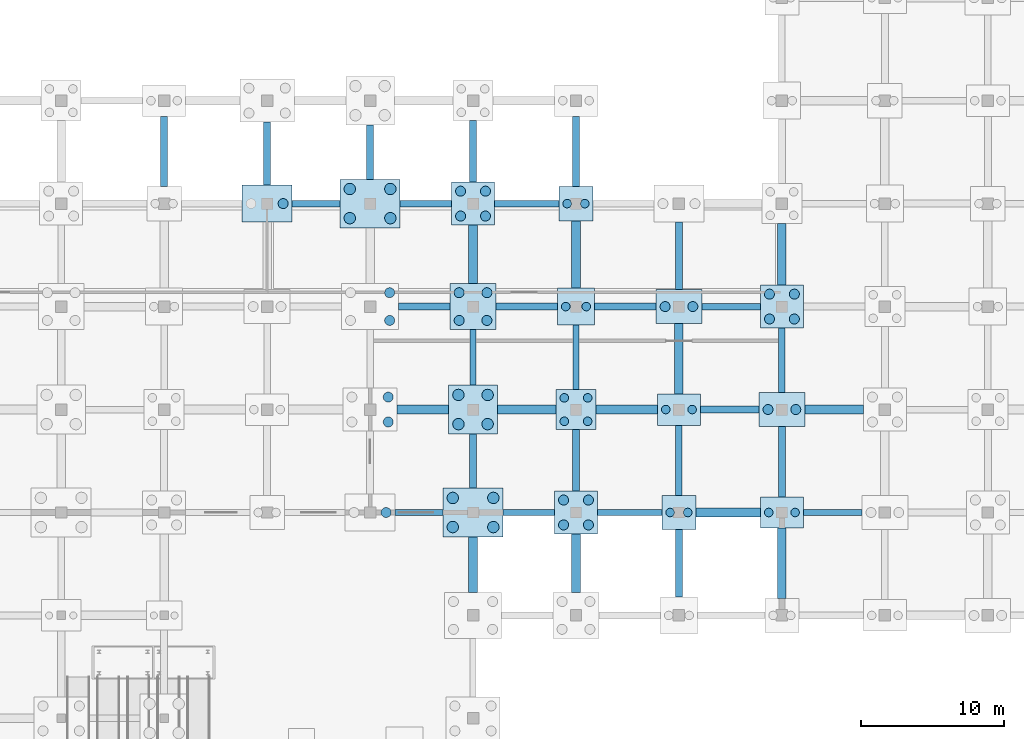
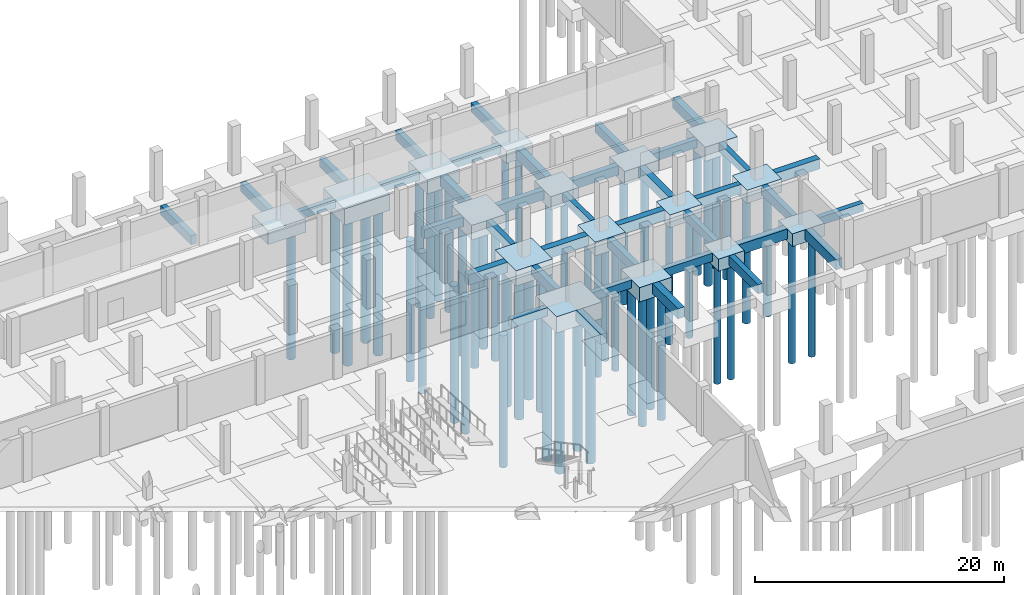
# One storey, part 6 of 38: 54 footings, 52 piles.
"""IFC4 building model written with IfcOpenShell, lengths in metres."""

from ifc_helpers import new_model, si_unit, direction, frame, origin, origin_2d, place, context, subcontext, project, spatial, rectangle, circle, extrude, material, material_profile, profile_set, type_object, element, save


model = new_model("IFC4")

# Units and contexts
model_context = context("Model", 3, precision=1e-05, world=origin(), true_north=direction((0.0, 1.0)))
body_context = subcontext(model_context, "Body", "Model", "MODEL_VIEW")
ifc_project = project(units=[si_unit("LENGTHUNIT", "METRE"), si_unit("AREAUNIT", "SQUARE_METRE"), si_unit("VOLUMEUNIT", "CUBIC_METRE"), si_unit("PLANEANGLEUNIT", "RADIAN"), si_unit("MASSUNIT", "GRAM", prefix="KILO")], contexts=[model_context])

# Site, building, storey
site_placement = place(None, origin())
site = spatial("IfcSite", under=ifc_project, at=site_placement, CompositionType="ELEMENT")
building_placement = place(site_placement, origin())
building = spatial("IfcBuilding", under=site, at=building_placement, Name="Valkovuoma Quantum and Materials Research Institute", CompositionType="ELEMENT")
storey_placement = place(building_placement, frame((0.0, 0.0, -4.800048828125)))
storey = spatial("IfcBuildingStorey", under=building, at=storey_placement, Name="B1", CompositionType="ELEMENT", Elevation=-4.800048828125)

# Footings
ifc_material_1 = material(Name="Concrete C35/45", Category="concrete")
footing_type_1 = type_object("IfcFootingType", Name="Cap-PC-03", PredefinedType="PILE_CAP", material=ifc_material_1)
for number, where, z_axis, x_axis, name in (
    (1, (108.0, 57.60009765625, -1.19970703125), (0.0, 0.0, 1.0), (1.0, 0.0, 0.0), "B1 pile cap 16J"),
    (2, (115.199951171875, 36.0, -1.19970703125), (0.0, 0.0, 1.0), (1.0, 0.0, 0.0), "B1 pile cap 17F"),
):
    element("IfcFooting", number, at=place(storey_placement, frame(where, z_axis=z_axis, x_axis=x_axis)), inside=storey, type_object=footing_type_1, Name=name, PredefinedType="PILE_CAP", context=body_context, shape_type="SweptSolid", body=[
        extrude(rectangle(XDim=2.39990234375, YDim=2.39990234375, at=origin_2d()), origin(), (0.0, 0.0, 1.0), 1.199951171875),
    ])
ifc_material_2 = material(Name="Concrete C35/45", Category="concrete")
footing_type_2 = type_object("IfcFootingType", Name="Cap-PC-04", PredefinedType="PILE_CAP", material=ifc_material_2)
footing_1_placement = place(storey_placement, frame((108.0, 50.39990234375, -1.2998046875), z_axis=(0.0, 0.0, 1.0), x_axis=(1.0, 0.0, 0.0)))
element("IfcFooting", 3, at=footing_1_placement, inside=storey, type_object=footing_type_2, Name="B1 pile cap 16H", PredefinedType="PILE_CAP", context=body_context, shape_type="SweptSolid", body=[
    extrude(rectangle(XDim=2.60009765625, YDim=2.60009765625, at=origin_2d()), origin(), (0.0, 0.0, 1.0), 1.300048828125),
])
ifc_material_3 = material(Name="Concrete C35/45", Category="concrete")
footing_type_3 = type_object("IfcFootingType", Name="Cap-PC-05", PredefinedType="PILE_CAP", material=ifc_material_3)
footing_2_placement = place(storey_placement, frame((108.0, 43.199951171875, -1.35009765625), z_axis=(0.0, 0.0, 1.0), x_axis=(1.0, 0.0, 0.0)))
element("IfcFooting", 4, at=footing_2_placement, inside=storey, type_object=footing_type_3, Name="B1 pile cap 16G", PredefinedType="PILE_CAP", context=body_context, shape_type="SweptSolid", body=[
    extrude(rectangle(XDim=2.800048828125, YDim=2.800048828125, at=origin_2d()), origin(), (0.0, 0.0, 1.0), 1.35009765625),
])
ifc_material_4 = material(Name="Concrete C35/45", Category="concrete")
footing_type_4 = type_object("IfcFootingType", Name="Cap-PC-06", PredefinedType="PILE_CAP", material=ifc_material_4)
for number, where, z_axis, x_axis, name in (
    (5, (100.800048828125, 57.60009765625, -1.39990234375), (0.0, 0.0, 1.0), (1.0, 0.0, 0.0), "B1 pile cap 15J"),
    (6, (108.0, 36.0, -1.39990234375), (0.0, 0.0, 1.0), (1.0, 0.0, 0.0), "B1 pile cap 16F"),
    (7, (122.39990234375, 50.39990234375, -1.39990234375), (0.0, 0.0, 1.0), (1.0, 0.0, 0.0), "B1 pile cap 18H"),
):
    element("IfcFooting", number, at=place(storey_placement, frame(where, z_axis=z_axis, x_axis=x_axis)), inside=storey, type_object=footing_type_4, Name=name, PredefinedType="PILE_CAP", context=body_context, shape_type="SweptSolid", body=[
        extrude(rectangle(XDim=3.0, YDim=3.0, at=origin_2d()), origin(), (0.0, 0.0, 1.0), 1.39990234375),
    ])
ifc_material_5 = material(Name="Concrete C35/45", Category="concrete")
footing_type_5 = type_object("IfcFootingType", Name="Cap-PC-07", PredefinedType="PILE_CAP", material=ifc_material_5)
footing_3_placement = place(storey_placement, frame((100.800048828125, 50.39990234375, -1.44970703125), z_axis=(0.0, 0.0, 1.0), x_axis=(1.0, 0.0, 0.0)))
element("IfcFooting", 8, at=footing_3_placement, inside=storey, type_object=footing_type_5, Name="B1 pile cap 15H", PredefinedType="PILE_CAP", context=body_context, shape_type="SweptSolid", body=[
    extrude(rectangle(XDim=3.199951171875, YDim=3.199951171875, at=origin_2d()), origin(), (0.0, 0.0, 1.0), 1.449951171875),
])
ifc_material_6 = material(Name="Concrete C35/45", Category="concrete")
footing_type_6 = type_object("IfcFootingType", Name="Cap-PC-08", PredefinedType="PILE_CAP", material=ifc_material_6)
footing_4_placement = place(storey_placement, frame((100.800048828125, 43.199951171875, -1.5), z_axis=(0.0, 0.0, 1.0), x_axis=(1.0, 0.0, 0.0)))
element("IfcFooting", 9, at=footing_4_placement, inside=storey, type_object=footing_type_6, Name="B1 pile cap 15G", PredefinedType="PILE_CAP", context=body_context, shape_type="SweptSolid", body=[
    extrude(rectangle(XDim=3.39990234375, YDim=3.39990234375, at=origin_2d()), origin(), (0.0, 0.0, 1.0), 1.5),
])
ifc_material_7 = material(Name="Concrete C35/45", Category="concrete")
footing_type_7 = type_object("IfcFootingType", Name="Cap-PC-11", PredefinedType="PILE_CAP", material=ifc_material_7)
for number, where, z_axis, x_axis, name in (
    (10, (115.199951171875, 43.199951171875, -1.25), (0.0, 0.0, 1.0), (1.0, 0.0, 0.0), "B1 pile cap 17G"),
    (11, (122.39990234375, 36.0, -1.25), (0.0, 0.0, 1.0), (1.0, 0.0, 0.0), "B1 pile cap 18F"),
):
    element("IfcFooting", number, at=place(storey_placement, frame(where, z_axis=z_axis, x_axis=x_axis)), inside=storey, type_object=footing_type_7, Name=name, PredefinedType="PILE_CAP", context=body_context, shape_type="SweptSolid", body=[
        extrude(rectangle(XDim=3.0, YDim=2.199951171875, at=origin_2d()), origin(), (0.0, 0.0, 1.0), 1.25),
    ])
ifc_material_8 = material(Name="Concrete C35/45", Category="concrete")
footing_type_8 = type_object("IfcFootingType", Name="Cap-PC-12", PredefinedType="PILE_CAP", material=ifc_material_8)
for number, where, z_axis, x_axis, name in (
    (12, (115.199951171875, 50.39990234375, -1.2998046875), (0.0, 0.0, 1.0), (1.0, 0.0, 0.0), "B1 pile cap 17H"),
    (13, (122.39990234375, 43.199951171875, -1.2998046875), (0.0, 0.0, 1.0), (1.0, 0.0, 0.0), "B1 pile cap 18G"),
):
    element("IfcFooting", number, at=place(storey_placement, frame(where, z_axis=z_axis, x_axis=x_axis)), inside=storey, type_object=footing_type_8, Name=name, PredefinedType="PILE_CAP", context=body_context, shape_type="SweptSolid", body=[
        extrude(rectangle(XDim=3.199951171875, YDim=2.39990234375, at=origin_2d()), origin(), (0.0, 0.0, 1.0), 1.300048828125),
    ])
ifc_material_9 = material(Name="Concrete C35/45", Category="concrete")
footing_type_9 = type_object("IfcFootingType", Name="Cap-PC-13", PredefinedType="PILE_CAP", material=ifc_material_9)
footing_5_placement = place(storey_placement, frame((86.39990234375, 57.60009765625, -1.35009765625), z_axis=(0.0, 0.0, 1.0), x_axis=(1.0, 0.0, 0.0)))
element("IfcFooting", 14, at=footing_5_placement, inside=storey, type_object=footing_type_9, Name="B1 pile cap 13J", PredefinedType="PILE_CAP", context=body_context, shape_type="SweptSolid", body=[
    extrude(rectangle(XDim=3.5, YDim=2.60009765625, at=origin_2d()), origin(), (0.0, 0.0, 1.0), 1.35009765625),
])
ifc_material_10 = material(Name="Concrete C35/45", Category="concrete")
footing_type_10 = type_object("IfcFootingType", Name="Cap-PC-16", PredefinedType="PILE_CAP", material=ifc_material_10)
for number, where, z_axis, x_axis, name in (
    (15, (93.60009765625, 57.60009765625, -1.60009765625), (0.0, 0.0, 1.0), (1.0, 0.0, 0.0), "B1 pile cap 14J"),
    (16, (100.800048828125, 36.0, -1.60009765625), (0.0, 0.0, 1.0), (1.0, 0.0, 0.0), "B1 pile cap 15F"),
):
    element("IfcFooting", number, at=place(storey_placement, frame(where, z_axis=z_axis, x_axis=x_axis)), inside=storey, type_object=footing_type_10, Name=name, PredefinedType="PILE_CAP", context=body_context, shape_type="SweptSolid", body=[
        extrude(rectangle(XDim=4.199951171875, YDim=3.39990234375, at=origin_2d()), origin(), (0.0, 0.0, 1.0), 1.60009765625),
    ])
ifc_material_11 = material(Name="Concrete C35/45", Category="concrete")
footing_type_11 = type_object("IfcFootingType", Name="GndBeam-FB-01", PredefinedType="FOOTING_BEAM", material=ifc_material_11)
for number, where, z_axis, x_axis, name in (
    (17, (89.824951171875, 57.60009765625, -0.7998046875), (0.0, 0.0, 1.0), (1.0, 0.0, 0.0), "B1 ground tie beam X-216"),
    (18, (97.02490234375, 36.0, -0.7998046875), (0.0, 0.0, 1.0), (1.0, 0.0, 0.0), "B1 ground tie beam X-219"),
):
    element("IfcFooting", number, at=place(storey_placement, frame(where, z_axis=z_axis, x_axis=x_axis)), inside=storey, type_object=footing_type_11, Name=name, PredefinedType="FOOTING_BEAM", context=body_context, shape_type="SweptSolid", body=[
        extrude(rectangle(XDim=3.35009765625, YDim=0.449951171875, at=origin_2d()), origin(), (0.0, 0.0, 1.0), 0.800048828125),
    ])
for number, where, z_axis, x_axis, name in (
    (19, (97.5, 57.60009765625, -0.7998046875), (0.0, 0.0, 1.0), (1.0, 0.0, 0.0), "B1 ground tie beam X-225"),
    (20, (104.699951171875, 36.0, -0.7998046875), (0.0, 0.0, 1.0), (1.0, 0.0, 0.0), "B1 ground tie beam X-234"),
):
    element("IfcFooting", number, at=place(storey_placement, frame(where, z_axis=z_axis, x_axis=x_axis)), inside=storey, type_object=footing_type_11, Name=name, PredefinedType="FOOTING_BEAM", context=body_context, shape_type="SweptSolid", body=[
        extrude(rectangle(XDim=3.60009765625, YDim=0.449951171875, at=origin_2d()), origin(), (0.0, 0.0, 1.0), 0.800048828125),
    ])
footing_6_placement = place(storey_placement, frame((100.800048828125, 46.85009765625, -0.7998046875), z_axis=(0.0, 0.0, 1.0), x_axis=(0.0, 1.0, 0.0)))
element("IfcFooting", 21, at=footing_6_placement, inside=storey, type_object=footing_type_11, Name="B1 ground tie beam Y-237", PredefinedType="FOOTING_BEAM", context=body_context, shape_type="SweptSolid", body=[
    extrude(rectangle(XDim=3.89990234375, YDim=0.449951171875, at=origin_2d()), origin(), (0.0, 0.0, 1.0), 0.800048828125),
])
for number, where, z_axis, x_axis, name in (
    (22, (104.550048828125, 57.60009765625, -0.7998046875), (0.0, 0.0, 1.0), (1.0, 0.0, 0.0), "B1 ground tie beam X-240"),
    (23, (111.75, 36.0, -0.7998046875), (0.0, 0.0, 1.0), (1.0, 0.0, 0.0), "B1 ground tie beam X-246"),
    (24, (108.0, 46.85009765625, -0.7998046875), (0.0, 0.0, 1.0), (0.0, 1.0, 0.0), "B1 ground tie beam Y-249"),
):
    element("IfcFooting", number, at=place(storey_placement, frame(where, z_axis=z_axis, x_axis=x_axis)), inside=storey, type_object=footing_type_11, Name=name, PredefinedType="FOOTING_BEAM", context=body_context, shape_type="SweptSolid", body=[
        extrude(rectangle(XDim=4.5, YDim=0.449951171875, at=origin_2d()), origin(), (0.0, 0.0, 1.0), 0.800048828125),
    ])
footing_7_placement = place(storey_placement, frame((115.199951171875, 39.64990234375, -0.7998046875), z_axis=(0.0, 0.0, 1.0), x_axis=(0.0, 1.0, 0.0)))
element("IfcFooting", 25, at=footing_7_placement, inside=storey, type_object=footing_type_11, Name="B1 ground tie beam Y-258", PredefinedType="FOOTING_BEAM", context=body_context, shape_type="SweptSolid", body=[
    extrude(rectangle(XDim=4.89990234375, YDim=0.449951171875, at=origin_2d()), origin(), (0.0, 0.0, 1.0), 0.800048828125),
])
for number, where, z_axis, x_axis, name in (
    (26, (118.85009765625, 50.39990234375, -0.7998046875), (0.0, 0.0, 1.0), (1.0, 0.0, 0.0), "B1 ground tie beam X-261"),
    (27, (125.949951171875, 36.0, -0.7998046875), (0.0, 0.0, 1.0), (1.0, 0.0, 0.0), "B1 ground tie beam X-267"),
):
    element("IfcFooting", number, at=place(storey_placement, frame(where, z_axis=z_axis, x_axis=x_axis)), inside=storey, type_object=footing_type_11, Name=name, PredefinedType="FOOTING_BEAM", context=body_context, shape_type="SweptSolid", body=[
        extrude(rectangle(XDim=4.10009765625, YDim=0.449951171875, at=origin_2d()), origin(), (0.0, 0.0, 1.0), 0.800048828125),
    ])
footing_8_placement = place(storey_placement, frame((122.39990234375, 46.64990234375, -0.7998046875), z_axis=(0.0, 0.0, 1.0), x_axis=(0.0, 1.0, 0.0)))
element("IfcFooting", 28, at=footing_8_placement, inside=storey, type_object=footing_type_11, Name="B1 ground tie beam Y-270", PredefinedType="FOOTING_BEAM", context=body_context, shape_type="SweptSolid", body=[
    extrude(rectangle(XDim=4.5, YDim=0.449951171875, at=origin_2d()), origin(), (0.0, 0.0, 1.0), 0.800048828125),
])
ifc_material_12 = material(Name="Concrete C35/45", Category="concrete")
footing_type_12 = type_object("IfcFootingType", Name="GndBeam-FB-02", PredefinedType="FOOTING_BEAM", material=ifc_material_12)
footing_9_placement = place(storey_placement, frame((79.199951171875, 61.25, -0.89990234375), z_axis=(0.0, 0.0, 1.0), x_axis=(0.0, 1.0, 0.0)))
element("IfcFooting", 29, at=footing_9_placement, inside=storey, type_object=footing_type_12, Name="B1 ground tie beam Y-208", PredefinedType="FOOTING_BEAM", context=body_context, shape_type="SweptSolid", body=[
    extrude(rectangle(XDim=4.89990234375, YDim=0.5, at=origin_2d()), origin(), (0.0, 0.0, 1.0), 0.89990234375),
])
footing_10_placement = place(storey_placement, frame((86.39990234375, 61.10009765625, -0.89990234375), z_axis=(0.0, 0.0, 1.0), x_axis=(0.0, 1.0, 0.0)))
element("IfcFooting", 30, at=footing_10_placement, inside=storey, type_object=footing_type_12, Name="B1 ground tie beam Y-217", PredefinedType="FOOTING_BEAM", context=body_context, shape_type="SweptSolid", body=[
    extrude(rectangle(XDim=4.39990234375, YDim=0.5, at=origin_2d()), origin(), (0.0, 0.0, 1.0), 0.89990234375),
])
footing_11_placement = place(storey_placement, frame((97.39990234375, 50.39990234375, -0.89990234375), z_axis=(0.0, 0.0, 1.0), x_axis=(1.0, 0.0, 0.0)))
element("IfcFooting", 31, at=footing_11_placement, inside=storey, type_object=footing_type_12, Name="B1 ground tie beam X-223", PredefinedType="FOOTING_BEAM", context=body_context, shape_type="SweptSolid", body=[
    extrude(rectangle(XDim=3.60009765625, YDim=0.5, at=origin_2d()), origin(), (0.0, 0.0, 1.0), 0.89990234375),
])
for number, where, z_axis, x_axis, name in (
    (32, (93.60009765625, 61.199951171875, -0.89990234375), (0.0, 0.0, 1.0), (0.0, 1.0, 0.0), "B1 ground tie beam Y-226"),
    (33, (100.800048828125, 39.60009765625, -0.89990234375), (0.0, 0.0, 1.0), (0.0, 1.0, 0.0), "B1 ground tie beam Y-235"),
):
    element("IfcFooting", number, at=place(storey_placement, frame(where, z_axis=z_axis, x_axis=x_axis)), inside=storey, type_object=footing_type_12, Name=name, PredefinedType="FOOTING_BEAM", context=body_context, shape_type="SweptSolid", body=[
        extrude(rectangle(XDim=3.800048828125, YDim=0.5, at=origin_2d()), origin(), (0.0, 0.0, 1.0), 0.89990234375),
    ])
for number, where, z_axis, x_axis, name in (
    (34, (104.550048828125, 50.39990234375, -0.89990234375), (0.0, 0.0, 1.0), (1.0, 0.0, 0.0), "B1 ground tie beam X-238"),
    (35, (100.800048828125, 61.25, -0.89990234375), (0.0, 0.0, 1.0), (0.0, 1.0, 0.0), "B1 ground tie beam Y-241"),
    (36, (108.0, 39.64990234375, -0.89990234375), (0.0, 0.0, 1.0), (0.0, 1.0, 0.0), "B1 ground tie beam Y-247"),
    (37, (111.449951171875, 50.39990234375, -0.89990234375), (0.0, 0.0, 1.0), (1.0, 0.0, 0.0), "B1 ground tie beam X-250"),
):
    element("IfcFooting", number, at=place(storey_placement, frame(where, z_axis=z_axis, x_axis=x_axis)), inside=storey, type_object=footing_type_12, Name=name, PredefinedType="FOOTING_BEAM", context=body_context, shape_type="SweptSolid", body=[
        extrude(rectangle(XDim=4.300048828125, YDim=0.5, at=origin_2d()), origin(), (0.0, 0.0, 1.0), 0.89990234375),
    ])
footing_12_placement = place(storey_placement, frame((108.0, 61.25, -0.89990234375), z_axis=(0.0, 0.0, 1.0), x_axis=(0.0, 1.0, 0.0)))
element("IfcFooting", 38, at=footing_12_placement, inside=storey, type_object=footing_type_12, Name="B1 ground tie beam Y-253", PredefinedType="FOOTING_BEAM", context=body_context, shape_type="SweptSolid", body=[
    extrude(rectangle(XDim=4.89990234375, YDim=0.5, at=origin_2d()), origin(), (0.0, 0.0, 1.0), 0.89990234375),
])
footing_13_placement = place(storey_placement, frame((115.199951171875, 32.449951171875, -0.89990234375), z_axis=(0.0, 0.0, 1.0), x_axis=(0.0, 1.0, 0.0)))
element("IfcFooting", 39, at=footing_13_placement, inside=storey, type_object=footing_type_12, Name="B1 ground tie beam Y-256", PredefinedType="FOOTING_BEAM", context=body_context, shape_type="SweptSolid", body=[
    extrude(rectangle(XDim=4.699951171875, YDim=0.5, at=origin_2d()), origin(), (0.0, 0.0, 1.0), 0.89990234375),
])
footing_14_placement = place(storey_placement, frame((118.75, 43.199951171875, -0.89990234375), z_axis=(0.0, 0.0, 1.0), x_axis=(1.0, 0.0, 0.0)))
element("IfcFooting", 40, at=footing_14_placement, inside=storey, type_object=footing_type_12, Name="B1 ground tie beam X-259", PredefinedType="FOOTING_BEAM", context=body_context, shape_type="SweptSolid", body=[
    extrude(rectangle(XDim=4.10009765625, YDim=0.5, at=origin_2d()), origin(), (0.0, 0.0, 1.0), 0.89990234375),
])
footing_15_placement = place(storey_placement, frame((115.199951171875, 53.949951171875, -0.89990234375), z_axis=(0.0, 0.0, 1.0), x_axis=(0.0, 1.0, 0.0)))
element("IfcFooting", 41, at=footing_15_placement, inside=storey, type_object=footing_type_12, Name="B1 ground tie beam Y-262", PredefinedType="FOOTING_BEAM", context=body_context, shape_type="SweptSolid", body=[
    extrude(rectangle(XDim=4.699951171875, YDim=0.5, at=origin_2d()), origin(), (0.0, 0.0, 1.0), 0.89990234375),
])
footing_16_placement = place(storey_placement, frame((122.39990234375, 39.550048828125, -0.89990234375), z_axis=(0.0, 0.0, 1.0), x_axis=(0.0, 1.0, 0.0)))
element("IfcFooting", 42, at=footing_16_placement, inside=storey, type_object=footing_type_12, Name="B1 ground tie beam Y-268", PredefinedType="FOOTING_BEAM", context=body_context, shape_type="SweptSolid", body=[
    extrude(rectangle(XDim=4.89990234375, YDim=0.5, at=origin_2d()), origin(), (0.0, 0.0, 1.0), 0.89990234375),
])
ifc_material_13 = material(Name="Concrete C35/45", Category="concrete")
footing_type_13 = type_object("IfcFootingType", Name="GndBeam-FB-03", PredefinedType="FOOTING_BEAM", material=ifc_material_13)
footing_17_placement = place(storey_placement, frame((97.300048828125, 43.199951171875, -1.0), z_axis=(0.0, 0.0, 1.0), x_axis=(1.0, 0.0, 0.0)))
element("IfcFooting", 43, at=footing_17_placement, inside=storey, type_object=footing_type_13, Name="B1 ground tie beam X-221", PredefinedType="FOOTING_BEAM", context=body_context, shape_type="SweptSolid", body=[
    extrude(rectangle(XDim=3.60009765625, YDim=0.60009765625, at=origin_2d()), origin(), (0.0, 0.0, 1.0), 1.0),
])
footing_18_placement = place(storey_placement, frame((100.800048828125, 32.35009765625, -1.0), z_axis=(0.0, 0.0, 1.0), x_axis=(0.0, 1.0, 0.0)))
element("IfcFooting", 44, at=footing_18_placement, inside=storey, type_object=footing_type_13, Name="B1 ground tie beam Y-233", PredefinedType="FOOTING_BEAM", context=body_context, shape_type="SweptSolid", body=[
    extrude(rectangle(XDim=3.89990234375, YDim=0.60009765625, at=origin_2d()), origin(), (0.0, 0.0, 1.0), 1.0),
])
for number, where, z_axis, x_axis, name in (
    (45, (104.550048828125, 43.199951171875, -1.0), (0.0, 0.0, 1.0), (1.0, 0.0, 0.0), "B1 ground tie beam X-236"),
    (46, (100.800048828125, 54.050048828125, -1.0), (0.0, 0.0, 1.0), (0.0, 1.0, 0.0), "B1 ground tie beam Y-239"),
    (47, (108.0, 32.449951171875, -1.0), (0.0, 0.0, 1.0), (0.0, 1.0, 0.0), "B1 ground tie beam Y-245"),
):
    element("IfcFooting", number, at=place(storey_placement, frame(where, z_axis=z_axis, x_axis=x_axis)), inside=storey, type_object=footing_type_13, Name=name, PredefinedType="FOOTING_BEAM", context=body_context, shape_type="SweptSolid", body=[
        extrude(rectangle(XDim=4.10009765625, YDim=0.60009765625, at=origin_2d()), origin(), (0.0, 0.0, 1.0), 1.0),
    ])
footing_19_placement = place(storey_placement, frame((111.550048828125, 43.199951171875, -1.0), z_axis=(0.0, 0.0, 1.0), x_axis=(1.0, 0.0, 0.0)))
element("IfcFooting", 48, at=footing_19_placement, inside=storey, type_object=footing_type_13, Name="B1 ground tie beam X-248", PredefinedType="FOOTING_BEAM", context=body_context, shape_type="SweptSolid", body=[
    extrude(rectangle(XDim=4.300048828125, YDim=0.60009765625, at=origin_2d()), origin(), (0.0, 0.0, 1.0), 1.0),
])
footing_20_placement = place(storey_placement, frame((108.0, 54.050048828125, -1.0), z_axis=(0.0, 0.0, 1.0), x_axis=(0.0, 1.0, 0.0)))
element("IfcFooting", 49, at=footing_20_placement, inside=storey, type_object=footing_type_13, Name="B1 ground tie beam Y-251", PredefinedType="FOOTING_BEAM", context=body_context, shape_type="SweptSolid", body=[
    extrude(rectangle(XDim=4.699951171875, YDim=0.60009765625, at=origin_2d()), origin(), (0.0, 0.0, 1.0), 1.0),
])
footing_21_placement = place(storey_placement, frame((118.64990234375, 36.0, -1.0), z_axis=(0.0, 0.0, 1.0), x_axis=(1.0, 0.0, 0.0)))
element("IfcFooting", 50, at=footing_21_placement, inside=storey, type_object=footing_type_13, Name="B1 ground tie beam X-257", PredefinedType="FOOTING_BEAM", context=body_context, shape_type="SweptSolid", body=[
    extrude(rectangle(XDim=4.5, YDim=0.60009765625, at=origin_2d()), origin(), (0.0, 0.0, 1.0), 1.0),
])
for number, where, z_axis, x_axis, name in (
    (51, (115.199951171875, 46.75, -1.0), (0.0, 0.0, 1.0), (0.0, 1.0, 0.0), "B1 ground tie beam Y-260"),
    (52, (122.39990234375, 32.449951171875, -1.0), (0.0, 0.0, 1.0), (0.0, 1.0, 0.0), "B1 ground tie beam Y-266"),
):
    element("IfcFooting", number, at=place(storey_placement, frame(where, z_axis=z_axis, x_axis=x_axis)), inside=storey, type_object=footing_type_13, Name=name, PredefinedType="FOOTING_BEAM", context=body_context, shape_type="SweptSolid", body=[
        extrude(rectangle(XDim=4.89990234375, YDim=0.60009765625, at=origin_2d()), origin(), (0.0, 0.0, 1.0), 1.0),
    ])
footing_22_placement = place(storey_placement, frame((126.050048828125, 43.199951171875, -1.0), z_axis=(0.0, 0.0, 1.0), x_axis=(1.0, 0.0, 0.0)))
element("IfcFooting", 53, at=footing_22_placement, inside=storey, type_object=footing_type_13, Name="B1 ground tie beam X-269", PredefinedType="FOOTING_BEAM", context=body_context, shape_type="SweptSolid", body=[
    extrude(rectangle(XDim=4.10009765625, YDim=0.60009765625, at=origin_2d()), origin(), (0.0, 0.0, 1.0), 1.0),
])
footing_23_placement = place(storey_placement, frame((122.39990234375, 54.050048828125, -1.0), z_axis=(0.0, 0.0, 1.0), x_axis=(0.0, 1.0, 0.0)))
element("IfcFooting", 54, at=footing_23_placement, inside=storey, type_object=footing_type_13, Name="B1 ground tie beam Y-272", PredefinedType="FOOTING_BEAM", context=body_context, shape_type="SweptSolid", body=[
    extrude(rectangle(XDim=4.300048828125, YDim=0.60009765625, at=origin_2d()), origin(), (0.0, 0.0, 1.0), 1.0),
])

# Piles
ifc_material_14 = material(Name="Concrete C40/50", Category="concrete")
ifc_material_profile_1 = material_profile(ifc_material_14, circle(Radius=0.300048828125, at=origin_2d()), Name="Concrete C40/50")
ifc_profile_set_1 = profile_set([ifc_material_profile_1], Name="Concrete C40/50")
pile_type_1 = type_object("IfcPileType", Name="Pile-PL-B600", PredefinedType="BORED", material=ifc_profile_set_1)
for number, where, z_axis, x_axis, name in (
    (55, (107.179931640625, 42.3798828125, -1.25), (0.0, 0.0, -1.0), (1.0, 0.0, 0.0), "B1 pile 16G-1"),
    (56, (108.820068359375, 42.3798828125, -1.25), (0.0, 0.0, -1.0), (1.0, 0.0, 0.0), "B1 pile 16G-2"),
    (57, (107.179931640625, 44.02001953125, -1.25), (0.0, 0.0, -1.0), (1.0, 0.0, 0.0), "B1 pile 16G-3"),
    (58, (108.820068359375, 44.02001953125, -1.25), (0.0, 0.0, -1.0), (1.0, 0.0, 0.0), "B1 pile 16G-4"),
):
    element("IfcPile", number, at=place(storey_placement, frame(where, z_axis=z_axis, x_axis=x_axis)), inside=storey, type_object=pile_type_1, Name=name, PredefinedType="BORED", context=body_context, shape_type="SweptSolid", body=[
        extrude(circle(Radius=0.300048828125, at=origin_2d()), origin(), (0.0, 0.0, 1.0), 12.35009765625),
    ])
for number, where, z_axis, x_axis, name in (
    (59, (107.280029296875, 50.39990234375, -1.199951171875), (0.0, 0.0, -1.0), (1.0, 0.0, 0.0), "B1 pile 16H-1"),
    (60, (108.719970703125, 50.39990234375, -1.199951171875), (0.0, 0.0, -1.0), (1.0, 0.0, 0.0), "B1 pile 16H-2"),
):
    element("IfcPile", number, at=place(storey_placement, frame(where, z_axis=z_axis, x_axis=x_axis)), inside=storey, type_object=pile_type_1, Name=name, PredefinedType="BORED", context=body_context, shape_type="SweptSolid", body=[
        extrude(circle(Radius=0.300048828125, at=origin_2d()), origin(), (0.0, 0.0, 1.0), 12.0),
    ])
for number, where, z_axis, x_axis, name in (
    (61, (107.3798828125, 57.60009765625, -1.099853515625), (0.0, 0.0, -1.0), (1.0, 0.0, 0.0), "B1 pile 16J-1"),
    (62, (108.6201171875, 57.60009765625, -1.099853515625), (0.0, 0.0, -1.0), (1.0, 0.0, 0.0), "B1 pile 16J-2"),
    (63, (114.580078125, 36.0, -1.099853515625), (0.0, 0.0, -1.0), (1.0, 0.0, 0.0), "B1 pile 17F-1"),
    (64, (115.820068359375, 36.0, -1.099853515625), (0.0, 0.0, -1.0), (1.0, 0.0, 0.0), "B1 pile 17F-2"),
):
    element("IfcPile", number, at=place(storey_placement, frame(where, z_axis=z_axis, x_axis=x_axis)), inside=storey, type_object=pile_type_1, Name=name, PredefinedType="BORED", context=body_context, shape_type="SweptSolid", body=[
        extrude(circle(Radius=0.300048828125, at=origin_2d()), origin(), (0.0, 0.0, 1.0), 11.89990234375),
    ])
for number, where, z_axis, x_axis, name in (
    (65, (114.280029296875, 43.199951171875, -1.14990234375), (0.0, 0.0, -1.0), (1.0, 0.0, 0.0), "B1 pile 17G-1"),
    (66, (116.1201171875, 43.199951171875, -1.14990234375), (0.0, 0.0, -1.0), (1.0, 0.0, 0.0), "B1 pile 17G-2"),
    (67, (121.47998046875, 36.0, -1.14990234375), (0.0, 0.0, -1.0), (1.0, 0.0, 0.0), "B1 pile 18F-1"),
    (68, (123.320068359375, 36.0, -1.14990234375), (0.0, 0.0, -1.0), (1.0, 0.0, 0.0), "B1 pile 18F-2"),
):
    element("IfcPile", number, at=place(storey_placement, frame(where, z_axis=z_axis, x_axis=x_axis)), inside=storey, type_object=pile_type_1, Name=name, PredefinedType="BORED", context=body_context, shape_type="SweptSolid", body=[
        extrude(circle(Radius=0.300048828125, at=origin_2d()), origin(), (0.0, 0.0, 1.0), 12.25),
    ])
ifc_material_15 = material(Name="Concrete C40/50", Category="concrete")
ifc_material_profile_2 = material_profile(ifc_material_15, circle(Radius=0.35009765625, at=origin_2d()), Name="Concrete C40/50")
ifc_profile_set_2 = profile_set([ifc_material_profile_2], Name="Concrete C40/50")
pile_type_2 = type_object("IfcPileType", Name="Pile-PL-B700", PredefinedType="BORED", material=ifc_profile_set_2)
for number, where, z_axis, x_axis, name in (
    (69, (87.52001953125, 57.60009765625, -1.25), (0.0, 0.0, -1.0), (1.0, 0.0, 0.0), "B1 pile 13J-2"),
    (70, (94.719970703125, 36.0, -1.25), (0.0, 0.0, -1.0), (1.0, 0.0, 0.0), "B1 pile 14F-2"),
):
    element("IfcPile", number, at=place(storey_placement, frame(where, z_axis=z_axis, x_axis=x_axis)), inside=storey, type_object=pile_type_2, Name=name, PredefinedType="BORED", context=body_context, shape_type="SweptSolid", body=[
        extrude(circle(Radius=0.35009765625, at=origin_2d()), origin(), (0.0, 0.0, 1.0), 12.949951171875),
    ])
for number, where, z_axis, x_axis, name in (
    (71, (94.8701171875, 42.330078125, -1.349853515625), (0.0, 0.0, -1.0), (1.0, 0.0, 0.0), "B1 pile 14G-2"),
    (72, (94.8701171875, 44.070068359375, -1.349853515625), (0.0, 0.0, -1.0), (1.0, 0.0, 0.0), "B1 pile 14G-4"),
):
    element("IfcPile", number, at=place(storey_placement, frame(where, z_axis=z_axis, x_axis=x_axis)), inside=storey, type_object=pile_type_2, Name=name, PredefinedType="BORED", context=body_context, shape_type="SweptSolid", body=[
        extrude(circle(Radius=0.35009765625, at=origin_2d()), origin(), (0.0, 0.0, 1.0), 13.449951171875),
    ])
for number, where, z_axis, x_axis, name in (
    (73, (94.969970703125, 49.429931640625, -1.39990234375), (0.0, 0.0, -1.0), (1.0, 0.0, 0.0), "B1 pile 14H-2"),
    (74, (94.969970703125, 51.3701171875, -1.39990234375), (0.0, 0.0, -1.0), (1.0, 0.0, 0.0), "B1 pile 14H-4"),
):
    element("IfcPile", number, at=place(storey_placement, frame(where, z_axis=z_axis, x_axis=x_axis)), inside=storey, type_object=pile_type_2, Name=name, PredefinedType="BORED", context=body_context, shape_type="SweptSolid", body=[
        extrude(circle(Radius=0.35009765625, at=origin_2d()), origin(), (0.0, 0.0, 1.0), 13.800048828125),
    ])
for number, where, z_axis, x_axis, name in (
    (75, (99.830078125, 49.429931640625, -1.349853515625), (0.0, 0.0, -1.0), (1.0, 0.0, 0.0), "B1 pile 15H-1"),
    (76, (101.77001953125, 49.429931640625, -1.349853515625), (0.0, 0.0, -1.0), (1.0, 0.0, 0.0), "B1 pile 15H-2"),
    (77, (99.830078125, 51.3701171875, -1.349853515625), (0.0, 0.0, -1.0), (1.0, 0.0, 0.0), "B1 pile 15H-3"),
    (78, (101.77001953125, 51.3701171875, -1.349853515625), (0.0, 0.0, -1.0), (1.0, 0.0, 0.0), "B1 pile 15H-4"),
):
    element("IfcPile", number, at=place(storey_placement, frame(where, z_axis=z_axis, x_axis=x_axis)), inside=storey, type_object=pile_type_2, Name=name, PredefinedType="BORED", context=body_context, shape_type="SweptSolid", body=[
        extrude(circle(Radius=0.35009765625, at=origin_2d()), origin(), (0.0, 0.0, 1.0), 13.050048828125),
    ])
for number, where, z_axis, x_axis, name in (
    (79, (99.929931640625, 56.72998046875, -1.300048828125), (0.0, 0.0, -1.0), (1.0, 0.0, 0.0), "B1 pile 15J-1"),
    (80, (101.669921875, 56.72998046875, -1.300048828125), (0.0, 0.0, -1.0), (1.0, 0.0, 0.0), "B1 pile 15J-2"),
    (81, (99.929931640625, 58.469970703125, -1.300048828125), (0.0, 0.0, -1.0), (1.0, 0.0, 0.0), "B1 pile 15J-3"),
    (82, (101.669921875, 58.469970703125, -1.300048828125), (0.0, 0.0, -1.0), (1.0, 0.0, 0.0), "B1 pile 15J-4"),
    (83, (107.1298828125, 35.1298828125, -1.300048828125), (0.0, 0.0, -1.0), (1.0, 0.0, 0.0), "B1 pile 16F-1"),
    (84, (108.8701171875, 35.1298828125, -1.300048828125), (0.0, 0.0, -1.0), (1.0, 0.0, 0.0), "B1 pile 16F-2"),
    (85, (107.1298828125, 36.8701171875, -1.300048828125), (0.0, 0.0, -1.0), (1.0, 0.0, 0.0), "B1 pile 16F-3"),
    (86, (108.8701171875, 36.8701171875, -1.300048828125), (0.0, 0.0, -1.0), (1.0, 0.0, 0.0), "B1 pile 16F-4"),
):
    element("IfcPile", number, at=place(storey_placement, frame(where, z_axis=z_axis, x_axis=x_axis)), inside=storey, type_object=pile_type_2, Name=name, PredefinedType="BORED", context=body_context, shape_type="SweptSolid", body=[
        extrude(circle(Radius=0.35009765625, at=origin_2d()), origin(), (0.0, 0.0, 1.0), 12.699951171875),
    ])
for number, where, z_axis, x_axis, name in (
    (87, (114.22998046875, 50.39990234375, -1.199951171875), (0.0, 0.0, -1.0), (1.0, 0.0, 0.0), "B1 pile 17H-1"),
    (88, (116.169921875, 50.39990234375, -1.199951171875), (0.0, 0.0, -1.0), (1.0, 0.0, 0.0), "B1 pile 17H-2"),
    (89, (121.429931640625, 43.199951171875, -1.199951171875), (0.0, 0.0, -1.0), (1.0, 0.0, 0.0), "B1 pile 18G-1"),
    (90, (123.3701171875, 43.199951171875, -1.199951171875), (0.0, 0.0, -1.0), (1.0, 0.0, 0.0), "B1 pile 18G-2"),
):
    element("IfcPile", number, at=place(storey_placement, frame(where, z_axis=z_axis, x_axis=x_axis)), inside=storey, type_object=pile_type_2, Name=name, PredefinedType="BORED", context=body_context, shape_type="SweptSolid", body=[
        extrude(circle(Radius=0.35009765625, at=origin_2d()), origin(), (0.0, 0.0, 1.0), 12.60009765625),
    ])
for number, where, z_axis, x_axis, name in (
    (91, (121.530029296875, 49.530029296875, -1.300048828125), (0.0, 0.0, -1.0), (1.0, 0.0, 0.0), "B1 pile 18H-1"),
    (92, (123.27001953125, 49.530029296875, -1.300048828125), (0.0, 0.0, -1.0), (1.0, 0.0, 0.0), "B1 pile 18H-2"),
    (93, (121.530029296875, 51.27001953125, -1.300048828125), (0.0, 0.0, -1.0), (1.0, 0.0, 0.0), "B1 pile 18H-3"),
    (94, (123.27001953125, 51.27001953125, -1.300048828125), (0.0, 0.0, -1.0), (1.0, 0.0, 0.0), "B1 pile 18H-4"),
):
    element("IfcPile", number, at=place(storey_placement, frame(where, z_axis=z_axis, x_axis=x_axis)), inside=storey, type_object=pile_type_2, Name=name, PredefinedType="BORED", context=body_context, shape_type="SweptSolid", body=[
        extrude(circle(Radius=0.35009765625, at=origin_2d()), origin(), (0.0, 0.0, 1.0), 12.699951171875),
    ])
ifc_material_16 = material(Name="Concrete C40/50", Category="concrete")
ifc_material_profile_3 = material_profile(ifc_material_16, circle(Radius=0.39990234375, at=origin_2d()), Name="Concrete C40/50")
ifc_profile_set_3 = profile_set([ifc_material_profile_3], Name="Concrete C40/50")
pile_type_3 = type_object("IfcPileType", Name="Pile-PL-B800", PredefinedType="BORED", material=ifc_profile_set_3)
for number, where, z_axis, x_axis, name in (
    (95, (92.179931640625, 56.580078125, -1.5), (0.0, 0.0, -1.0), (1.0, 0.0, 0.0), "B1 pile 14J-1"),
    (96, (95.02001953125, 56.580078125, -1.5), (0.0, 0.0, -1.0), (1.0, 0.0, 0.0), "B1 pile 14J-2"),
    (97, (92.179931640625, 58.6201171875, -1.5), (0.0, 0.0, -1.0), (1.0, 0.0, 0.0), "B1 pile 14J-3"),
    (98, (95.02001953125, 58.6201171875, -1.5), (0.0, 0.0, -1.0), (1.0, 0.0, 0.0), "B1 pile 14J-4"),
    (99, (99.3798828125, 34.97998046875, -1.5), (0.0, 0.0, -1.0), (1.0, 0.0, 0.0), "B1 pile 15F-1"),
    (100, (102.219970703125, 34.97998046875, -1.5), (0.0, 0.0, -1.0), (1.0, 0.0, 0.0), "B1 pile 15F-2"),
    (101, (99.3798828125, 37.02001953125, -1.5), (0.0, 0.0, -1.0), (1.0, 0.0, 0.0), "B1 pile 15F-3"),
    (102, (102.219970703125, 37.02001953125, -1.5), (0.0, 0.0, -1.0), (1.0, 0.0, 0.0), "B1 pile 15F-4"),
):
    element("IfcPile", number, at=place(storey_placement, frame(where, z_axis=z_axis, x_axis=x_axis)), inside=storey, type_object=pile_type_3, Name=name, PredefinedType="BORED", context=body_context, shape_type="SweptSolid", body=[
        extrude(circle(Radius=0.39990234375, at=origin_2d()), origin(), (0.0, 0.0, 1.0), 14.300048828125),
    ])
for number, where, z_axis, x_axis, name in (
    (103, (99.780029296875, 42.179931640625, -1.39990234375), (0.0, 0.0, -1.0), (1.0, 0.0, 0.0), "B1 pile 15G-1"),
    (104, (101.820068359375, 42.179931640625, -1.39990234375), (0.0, 0.0, -1.0), (1.0, 0.0, 0.0), "B1 pile 15G-2"),
    (105, (99.780029296875, 44.219970703125, -1.39990234375), (0.0, 0.0, -1.0), (1.0, 0.0, 0.0), "B1 pile 15G-3"),
    (106, (101.820068359375, 44.219970703125, -1.39990234375), (0.0, 0.0, -1.0), (1.0, 0.0, 0.0), "B1 pile 15G-4"),
):
    element("IfcPile", number, at=place(storey_placement, frame(where, z_axis=z_axis, x_axis=x_axis)), inside=storey, type_object=pile_type_3, Name=name, PredefinedType="BORED", context=body_context, shape_type="SweptSolid", body=[
        extrude(circle(Radius=0.39990234375, at=origin_2d()), origin(), (0.0, 0.0, 1.0), 13.60009765625),
    ])

save(model, "model.ifc")
